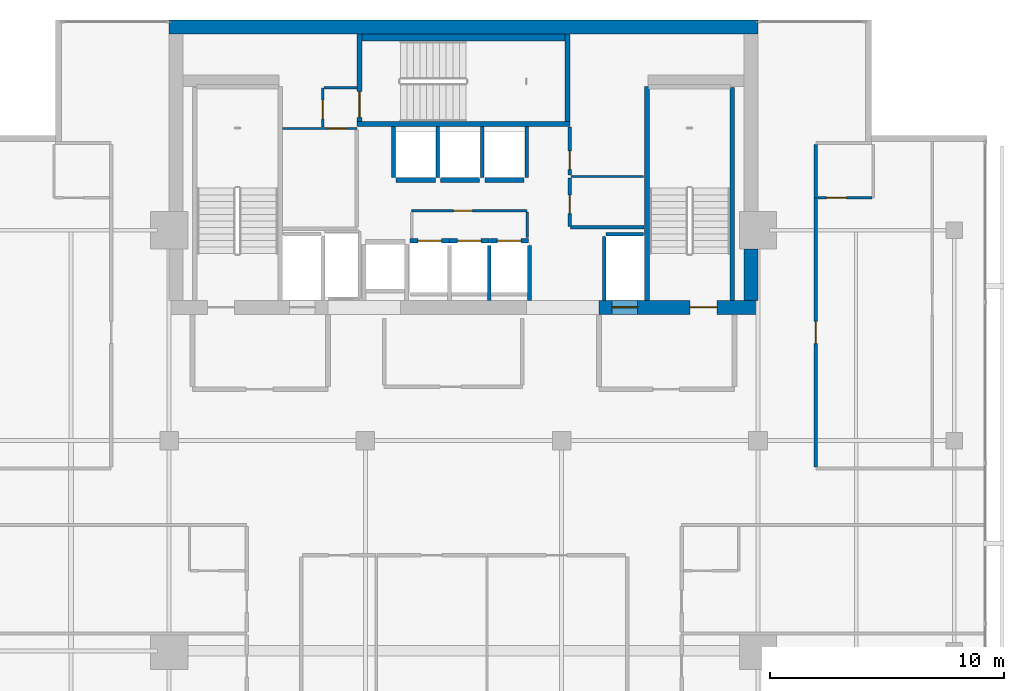
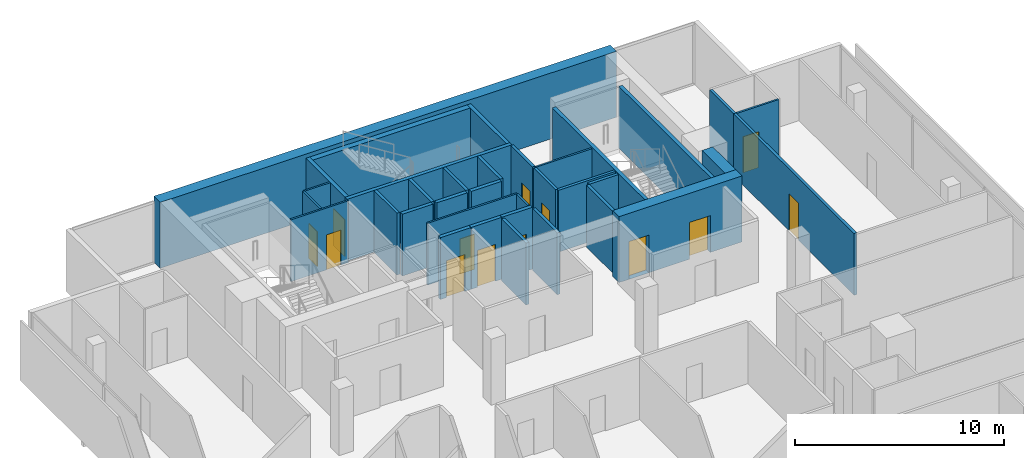
# One storey, part 22 of 25: 35 walls, 13 doors, 13 openings.
"""IFC4 building model written with IfcOpenShell, lengths in metres."""

from ifc_helpers import new_model, si_unit, direction, frame, frame_2d, origin, place, context, subcontext, project, spatial, rectangle, extrude, material, layer, layer_set, type_object, element, fill, save


model = new_model("IFC4")

# Units and contexts
model_context = context("Model", 3, precision=1e-05, world=origin(), true_north=direction((0.0, 1.0)))
body_context = subcontext(model_context, "Body", "Model", "MODEL_VIEW")
ifc_project = project(units=[si_unit("LENGTHUNIT", "METRE"), si_unit("AREAUNIT", "SQUARE_METRE"), si_unit("VOLUMEUNIT", "CUBIC_METRE"), si_unit("PLANEANGLEUNIT", "RADIAN"), si_unit("MASSUNIT", "GRAM", prefix="KILO")], contexts=[model_context])

# Site, building, storey
site_placement = place(None, origin())
site = spatial("IfcSite", under=ifc_project, at=site_placement, CompositionType="ELEMENT")
building_placement = place(site_placement, origin())
building = spatial("IfcBuilding", under=site, at=building_placement, Name="Maruvema Waterfront Hotel and Observation Tower", CompositionType="ELEMENT")
storey_placement = place(building_placement, frame((0.0, 0.0, 281.75)))
storey = spatial("IfcBuildingStorey", under=building, at=storey_placement, Name="L69", CompositionType="ELEMENT", Elevation=281.75)

# Wall, opening, door
ifc_material_1 = material(Name="Twin-stud acoustic gypsum drywall", Category="gypsum")
ifc_layer_1 = layer(ifc_material_1, 0.14990234375, Name="Acoustic Corridor and Suite Demising Wall 150 mm")
ifc_layer_set_1 = layer_set([ifc_layer_1], Name="Twin-stud acoustic gypsum drywall")
wall_type_1 = type_object("IfcWallType", Name="Acoustic Corridor and Suite Demising Wall 150 mm", PredefinedType="PARTITIONING", material=ifc_layer_set_1)
wall_1_placement = place(storey_placement, frame((42.340087890625, 45.159912109375, 0.0), z_axis=(0.0, 0.0, 1.0), x_axis=(0.0, 1.0, 0.0)))
wall_1 = element("IfcWall", 1, at=wall_1_placement, inside=storey, type_object=wall_type_1, Name="L69 Freed B2 West S 018", PredefinedType="PARTITIONING", context=body_context, shape_type="SweptSolid", body=[
    extrude(rectangle(XDim=2.080078125, YDim=0.14990234375, at=frame_2d((1.0400390625, 0.0))), origin(), (0.0, 0.0, 1.0), 3.610107421875),
])
opening_1_placement = place(wall_1_placement, frame((0.550048828125, 0.0, 0.0)))
opening_1 = element("IfcOpeningElement", 2, at=opening_1_placement, cuts=wall_1, Name="Opening DR-080", PredefinedType="OPENING", context=body_context, shape_type="SweptSolid", body=[
    extrude(rectangle(XDim=0.800048828125, YDim=2.050048828125, at=frame_2d((0.39990234375, 1.02490234375))), frame((0.0, 0.0849609375, 0.0), z_axis=(0.0, -1.0, 0.0), x_axis=(1.0, 0.0, 0.0)), (0.0, 0.0, 1.0), 0.169921875),
])
ifc_material_2 = material(Name="Powder-coated steel access leaf", Category="steel")
door_type_1 = type_object("IfcDoorType", Name="Riser and Service Cupboard Door 800x2050 mm", OperationType="NOTDEFINED", PredefinedType="DOOR", material=ifc_material_2)
door_1_placement = place(opening_1_placement, frame((0.800048828125, 0.0, 0.0), z_axis=(0.0, 0.0, 1.0), x_axis=(-1.0, 0.0, 0.0)))
door_1 = element("IfcDoor", 3, at=door_1_placement, inside=storey, type_object=door_type_1, Name="L69 Butler Service Pantry Door", OperationType="SINGLE_SWING_RIGHT", OverallHeight=2.050048828125, OverallWidth=0.800048828125, PredefinedType="DOOR", context=body_context, shape_type="SweptSolid", body=[
    extrude(rectangle(XDim=0.800048828125, YDim=2.050048828125, at=frame_2d((0.39990234375, 1.02490234375))), frame((0.0, 0.02490234375, 0.0), z_axis=(0.0, -1.0, 0.0), x_axis=(1.0, 0.0, 0.0)), (0.0, 0.0, 1.0), 0.050048828125),
])
fill(opening_1, door_1)

wall_2_placement = place(storey_placement, frame((42.340087890625, 47.360107421875, 0.0), z_axis=(0.0, 0.0, 1.0), x_axis=(0.0, 1.0, 0.0)))
wall_2 = element("IfcWall", 4, at=wall_2_placement, inside=storey, type_object=wall_type_1, Name="L69 Freed B2 West N 019", PredefinedType="PARTITIONING", context=body_context, shape_type="SweptSolid", body=[
    extrude(rectangle(XDim=2.059814453125, YDim=0.14990234375, at=frame_2d((1.02978515625, 0.0))), origin(), (0.0, 0.0, 1.0), 3.610107421875),
])
opening_2_placement = place(wall_2_placement, frame((0.239990234375, 0.0, 0.0)))
opening_2 = element("IfcOpeningElement", 5, at=opening_2_placement, cuts=wall_2, Name="Opening DR-080", PredefinedType="OPENING", context=body_context, shape_type="SweptSolid", body=[
    extrude(rectangle(XDim=0.800048828125, YDim=2.050048828125, at=frame_2d((0.39990234375, 1.02490234375))), frame((0.0, 0.0849609375, 0.0), z_axis=(0.0, -1.0, 0.0), x_axis=(1.0, 0.0, 0.0)), (0.0, 0.0, 1.0), 0.169921875),
])
door_2_placement = place(opening_2_placement, frame((0.800048828125, 0.0, 0.0), z_axis=(0.0, 0.0, 1.0), x_axis=(-1.0, 0.0, 0.0)))
door_2 = element("IfcDoor", 6, at=door_2_placement, inside=storey, type_object=door_type_1, Name="L69 Core IT and Linen Store Door", OperationType="SINGLE_SWING_LEFT", OverallHeight=2.050048828125, OverallWidth=0.800048828125, PredefinedType="DOOR", context=body_context, shape_type="SweptSolid", body=[
    extrude(rectangle(XDim=0.800048828125, YDim=2.050048828125, at=frame_2d((0.39990234375, 1.02490234375))), frame((0.0, 0.02490234375, 0.0), z_axis=(0.0, -1.0, 0.0), x_axis=(1.0, 0.0, 0.0)), (0.0, 0.0, 1.0), 0.050048828125),
])
fill(opening_2, door_2)

# Wall
wall_3_placement = place(storey_placement, frame((42.3798828125, 45.1201171875, 0.0), z_axis=(0.0, 0.0, 1.0), x_axis=(1.0, 0.0, 0.0)))
element("IfcWall", 7, at=wall_3_placement, inside=storey, type_object=wall_type_1, Name="L69 Freed B2 South Wall 021", PredefinedType="PARTITIONING", context=body_context, shape_type="SweptSolid", body=[
    extrude(rectangle(XDim=3.14013671875, YDim=0.14990234375, at=frame_2d((1.570068359375, 0.0))), origin(), (0.0, 0.0, 1.0), 3.610107421875),
])

# Wall, opening, door
wall_4_placement = place(storey_placement, frame((52.8798828125, 34.860107421875, 0.0), z_axis=(0.0, 0.0, 1.0), x_axis=(0.0, 1.0, 0.0)))
wall_4 = element("IfcWall", 8, at=wall_4_placement, inside=storey, type_object=wall_type_1, Name="L69 Room L69-NE1 Corridor Wall 079", PredefinedType="PARTITIONING", context=body_context, shape_type="SweptSolid", body=[
    extrude(rectangle(XDim=11.52734375, YDim=0.14990234375, at=frame_2d((5.763671875, 0.0))), origin(), (0.0, 0.0, 1.0), 3.610107421875),
])
opening_3_placement = place(wall_4_placement, frame((5.288818359375, 0.0, 0.0)))
opening_3 = element("IfcOpeningElement", 9, at=opening_3_placement, cuts=wall_4, Name="Opening DR-095", PredefinedType="OPENING", context=body_context, shape_type="SweptSolid", body=[
    extrude(rectangle(XDim=0.949951171875, YDim=2.14990234375, at=frame_2d((0.47509765625, 1.074951171875))), frame((0.0, 0.0849609375, 0.0), z_axis=(0.0, -1.0, 0.0), x_axis=(1.0, 0.0, 0.0)), (0.0, 0.0, 1.0), 0.169921875),
])
ifc_material_3 = material(Name="Acoustic solid-core hardwood timber leaf", Category="wood")
door_type_2 = type_object("IfcDoorType", Name="Guestroom Entrance Fire Door 950x2150 mm", OperationType="NOTDEFINED", PredefinedType="DOOR", material=ifc_material_3)
door_3_placement = place(opening_3_placement, frame((0.949951171875, 0.0, 0.0), z_axis=(0.0, 0.0, 1.0), x_axis=(-1.0, 0.0, 0.0)))
door_3 = element("IfcDoor", 10, at=door_3_placement, inside=storey, type_object=door_type_2, Name="L69 Room L69-NE1 Entrance Door", OperationType="SINGLE_SWING_RIGHT", OverallHeight=2.14990234375, OverallWidth=0.949951171875, PredefinedType="DOOR", context=body_context, shape_type="SweptSolid", body=[
    extrude(rectangle(XDim=0.949951171875, YDim=2.14990234375, at=frame_2d((0.47509765625, 1.074951171875))), frame((0.0, 0.02490234375, 0.0), z_axis=(0.0, -1.0, 0.0), x_axis=(1.0, 0.0, 0.0)), (0.0, 0.0, 1.0), 0.050048828125),
])
fill(opening_3, door_3)

# Walls
wall_5_placement = place(storey_placement, frame((52.8798828125, 46.387451171875, 0.0), z_axis=(0.0, 0.0, 1.0), x_axis=(0.0, 1.0, 0.0)))
element("IfcWall", 11, at=wall_5_placement, inside=storey, type_object=wall_type_1, Name="L69 Bath L69-NE1 Wall 080", PredefinedType="PARTITIONING", context=body_context, shape_type="SweptSolid", body=[
    extrude(rectangle(XDim=2.2900390625, YDim=0.14990234375, at=frame_2d((1.14501953125, 0.0))), origin(), (0.0, 0.0, 1.0), 3.610107421875),
])
ifc_material_4 = material(Name="Precast concrete C45/55", Category="concrete")
ifc_layer_2 = layer(ifc_material_4, 0.300048828125, Name="Core Shaft Furring Wall 300 mm")
ifc_layer_set_2 = layer_set([ifc_layer_2], Name="Precast concrete C45/55")
wall_type_2 = type_object("IfcWallType", Name="Core Shaft Furring Wall 300 mm", PredefinedType="SOLIDWALL", material=ifc_layer_set_2)
wall_6_placement = place(storey_placement, frame((33.449951171875, 53.25, 0.0), z_axis=(0.0, 0.0, 1.0), x_axis=(1.0, 0.0, 0.0)))
element("IfcWall", 12, at=wall_6_placement, inside=storey, type_object=wall_type_2, Name="L69 Stairwell ST-02 North Furring Wall", PredefinedType="SOLIDWALL", context=body_context, shape_type="SweptSolid", body=[
    extrude(rectangle(XDim=8.699951171875, YDim=0.300048828125, at=frame_2d((4.35009765625, 0.0))), origin(), (0.0, 0.0, 1.0), 3.610107421875),
])
ifc_material_5 = material(Name="Precast concrete C45/55", Category="concrete")
ifc_layer_3 = layer(ifc_material_5, 0.199951171875, Name="Core Shaft and Stairwell Enclosure Wall 200 mm")
ifc_layer_set_3 = layer_set([ifc_layer_3], Name="Precast concrete C45/55")
wall_type_3 = type_object("IfcWallType", Name="Core Shaft and Stairwell Enclosure Wall 200 mm", PredefinedType="SOLIDWALL", material=ifc_layer_set_3)
wall_7_placement = place(storey_placement, frame((33.25, 49.550048828125, 0.0), z_axis=(0.0, 0.0, 1.0), x_axis=(1.0, 0.0, 0.0)))
element("IfcWall", 13, at=wall_7_placement, inside=storey, type_object=wall_type_3, Name="L69 Stairwell ST-02 Shaft Wall", PredefinedType="SOLIDWALL", context=body_context, shape_type="SweptSolid", body=[
    extrude(rectangle(XDim=9.10009765625, YDim=0.199951171875, at=frame_2d((4.550048828125, 0.0))), origin(), (0.0, 0.0, 1.0), 3.610107421875),
])
wall_8_placement = place(storey_placement, frame((42.25, 49.64990234375, 0.0), z_axis=(0.0, 0.0, 1.0), x_axis=(0.0, 1.0, 0.0)))
element("IfcWall", 14, at=wall_8_placement, inside=storey, type_object=wall_type_3, Name="L69 Stairwell ST-02 Shaft Wall", PredefinedType="SOLIDWALL", context=body_context, shape_type="SweptSolid", body=[
    extrude(rectangle(XDim=3.75, YDim=0.199951171875, at=frame_2d((1.875, 0.0))), origin(), (0.0, 0.0, 1.0), 3.610107421875),
])

# Wall, opening, door
wall_9_placement = place(storey_placement, frame((33.35009765625, 49.64990234375, 0.0), z_axis=(0.0, 0.0, 1.0), x_axis=(0.0, 1.0, 0.0)))
wall_9 = element("IfcWall", 15, at=wall_9_placement, inside=storey, type_object=wall_type_3, Name="L69 Stairwell ST-02 Shaft Wall", PredefinedType="SOLIDWALL", context=body_context, shape_type="SweptSolid", body=[
    extrude(rectangle(XDim=3.75, YDim=0.199951171875, at=frame_2d((1.875, 0.0))), origin(), (0.0, 0.0, 1.0), 3.610107421875),
])
opening_4_placement = place(wall_9_placement, frame((0.179931640625, 0.0, 0.0)))
opening_4 = element("IfcOpeningElement", 16, at=opening_4_placement, cuts=wall_9, Name="Opening SD-02", PredefinedType="OPENING", context=body_context, shape_type="SweptSolid", body=[
    extrude(rectangle(XDim=1.10009765625, YDim=2.14990234375, at=frame_2d((0.550048828125, 1.074951171875))), frame((0.0, 0.10986328125, 0.0), z_axis=(0.0, -1.0, 0.0), x_axis=(1.0, 0.0, 0.0)), (0.0, 0.0, 1.0), 0.219970703125),
])
ifc_material_6 = material(Name="Fire-rated galvanised steel leaf", Category="steel")
door_type_3 = type_object("IfcDoorType", Name="Central Exit Stair Fire Door 1100x2150 mm", OperationType="NOTDEFINED", PredefinedType="DOOR", material=ifc_material_6)
door_4_placement = place(opening_4_placement, frame((1.10009765625, 0.0, 0.0), z_axis=(0.0, 0.0, 1.0), x_axis=(-1.0, 0.0, 0.0)))
door_4 = element("IfcDoor", 17, at=door_4_placement, inside=storey, type_object=door_type_3, Name="L69 Exit Stair ST-02 Fire Door", OperationType="SINGLE_SWING_LEFT", OverallHeight=2.14990234375, OverallWidth=1.10009765625, PredefinedType="DOOR", context=body_context, shape_type="SweptSolid", body=[
    extrude(rectangle(XDim=1.10009765625, YDim=2.14990234375, at=frame_2d((0.550048828125, 1.074951171875))), frame((0.0, 0.02490234375, 0.0), z_axis=(0.0, -1.0, 0.0), x_axis=(1.0, 0.0, 0.0)), (0.0, 0.0, 1.0), 0.050048828125),
])
fill(opening_4, door_4)

# Walls
wall_10_placement = place(storey_placement, frame((45.64990234375, 42.0, 0.0), z_axis=(0.0, 0.0, 1.0), x_axis=(0.0, 1.0, 0.0)))
element("IfcWall", 18, at=wall_10_placement, inside=storey, type_object=wall_type_3, Name="L69 Stairwell ST-03 West Shaft Wall", PredefinedType="SOLIDWALL", context=body_context, shape_type="SweptSolid", body=[
    extrude(rectangle(XDim=9.14990234375, YDim=0.199951171875, at=frame_2d((4.574951171875, 0.0))), origin(), (0.0, 0.0, 1.0), 3.610107421875),
])
wall_11_placement = place(storey_placement, frame((49.300048828125, 42.0, 0.0), z_axis=(0.0, 0.0, 1.0), x_axis=(0.0, 1.0, 0.0)))
element("IfcWall", 19, at=wall_11_placement, inside=storey, type_object=wall_type_3, Name="L69 Stairwell ST-03 Shaft Lining Wall", PredefinedType="SOLIDWALL", context=body_context, shape_type="SweptSolid", body=[
    extrude(rectangle(XDim=9.1201171875, YDim=0.199951171875, at=frame_2d((4.56005859375, 0.0))), origin(), (0.0, 0.0, 1.0), 3.610107421875),
])

# Wall, opening, door
wall_12_placement = place(storey_placement, frame((35.510009765625, 44.550048828125, 0.0), z_axis=(0.0, 0.0, 1.0), x_axis=(1.0, 0.0, 0.0)))
wall_12 = element("IfcWall", 20, at=wall_12_placement, inside=storey, type_object=wall_type_3, Name="L69 Lift LF-09 Hoistway Front Wall", PredefinedType="SOLIDWALL", context=body_context, shape_type="SweptSolid", body=[
    extrude(rectangle(XDim=1.679931640625, YDim=0.199951171875, at=frame_2d((0.83984375, 0.0))), origin(), (0.0, 0.0, 1.0), 3.610107421875),
])
opening_5_placement = place(wall_12_placement, frame((0.340087890625, 0.0, 0.0)))
opening_5 = element("IfcOpeningElement", 21, at=opening_5_placement, cuts=wall_12, Name="Opening LD-01", PredefinedType="OPENING", context=body_context, shape_type="SweptSolid", body=[
    extrude(rectangle(XDim=1.0, YDim=2.14990234375, at=frame_2d((0.5, 1.074951171875))), frame((0.0, 0.10986328125, 0.0), z_axis=(0.0, -1.0, 0.0), x_axis=(1.0, 0.0, 0.0)), (0.0, 0.0, 1.0), 0.219970703125),
])
ifc_material_7 = material(Name="Brushed stainless steel Grade 316", Category="steel")
door_type_4 = type_object("IfcDoorType", Name="Passenger Lift Sliding Landing Door 1000x2150 mm", OperationType="SLIDING_TO_LEFT", PredefinedType="DOOR", material=ifc_material_7)
door_5_placement = place(opening_5_placement, origin())
door_5 = element("IfcDoor", 22, at=door_5_placement, inside=storey, type_object=door_type_4, Name="L69 Lift LF-09 Sliding Landing Door", OperationType="SLIDING_TO_LEFT", OverallHeight=2.14990234375, OverallWidth=1.0, PredefinedType="DOOR", context=body_context, shape_type="SweptSolid", body=[
    extrude(rectangle(XDim=1.0, YDim=2.14990234375, at=frame_2d((0.5, 1.074951171875))), frame((0.0, 0.02490234375, 0.0), z_axis=(0.0, -1.0, 0.0), x_axis=(1.0, 0.0, 0.0)), (0.0, 0.0, 1.0), 0.050048828125),
])
fill(opening_5, door_5)

wall_13_placement = place(storey_placement, frame((37.2099609375, 44.550048828125, 0.0), z_axis=(0.0, 0.0, 1.0), x_axis=(1.0, 0.0, 0.0)))
wall_13 = element("IfcWall", 23, at=wall_13_placement, inside=storey, type_object=wall_type_3, Name="L69 Lift LF-10 Hoistway Front Wall", PredefinedType="SOLIDWALL", context=body_context, shape_type="SweptSolid", body=[
    extrude(rectangle(XDim=1.679931640625, YDim=0.199951171875, at=frame_2d((0.83984375, 0.0))), origin(), (0.0, 0.0, 1.0), 3.610107421875),
])
opening_6_placement = place(wall_13_placement, frame((0.340087890625, 0.0, 0.0)))
opening_6 = element("IfcOpeningElement", 24, at=opening_6_placement, cuts=wall_13, Name="Opening LD-01", PredefinedType="OPENING", context=body_context, shape_type="SweptSolid", body=[
    extrude(rectangle(XDim=1.0, YDim=2.14990234375, at=frame_2d((0.5, 1.074951171875))), frame((0.0, 0.10986328125, 0.0), z_axis=(0.0, -1.0, 0.0), x_axis=(1.0, 0.0, 0.0)), (0.0, 0.0, 1.0), 0.219970703125),
])
door_6_placement = place(opening_6_placement, origin())
door_6 = element("IfcDoor", 25, at=door_6_placement, inside=storey, type_object=door_type_4, Name="L69 Lift LF-10 Sliding Landing Door", OperationType="SLIDING_TO_LEFT", OverallHeight=2.14990234375, OverallWidth=1.0, PredefinedType="DOOR", context=body_context, shape_type="SweptSolid", body=[
    extrude(rectangle(XDim=1.0, YDim=2.14990234375, at=frame_2d((0.5, 1.074951171875))), frame((0.0, 0.02490234375, 0.0), z_axis=(0.0, -1.0, 0.0), x_axis=(1.0, 0.0, 0.0)), (0.0, 0.0, 1.0), 0.050048828125),
])
fill(opening_6, door_6)

wall_14_placement = place(storey_placement, frame((38.909912109375, 44.550048828125, 0.0), z_axis=(0.0, 0.0, 1.0), x_axis=(1.0, 0.0, 0.0)))
wall_14 = element("IfcWall", 26, at=wall_14_placement, inside=storey, type_object=wall_type_3, Name="L69 Lift LF-11 Hoistway Front Wall", PredefinedType="SOLIDWALL", context=body_context, shape_type="SweptSolid", body=[
    extrude(rectangle(XDim=1.68017578125, YDim=0.199951171875, at=frame_2d((0.840087890625, 0.0))), origin(), (0.0, 0.0, 1.0), 3.610107421875),
])
opening_7_placement = place(wall_14_placement, frame((0.340087890625, 0.0, 0.0)))
opening_7 = element("IfcOpeningElement", 27, at=opening_7_placement, cuts=wall_14, Name="Opening LD-01", PredefinedType="OPENING", context=body_context, shape_type="SweptSolid", body=[
    extrude(rectangle(XDim=1.0, YDim=2.14990234375, at=frame_2d((0.5, 1.074951171875))), frame((0.0, 0.10986328125, 0.0), z_axis=(0.0, -1.0, 0.0), x_axis=(1.0, 0.0, 0.0)), (0.0, 0.0, 1.0), 0.219970703125),
])
door_7_placement = place(opening_7_placement, origin())
door_7 = element("IfcDoor", 28, at=door_7_placement, inside=storey, type_object=door_type_4, Name="L69 Lift LF-11 Sliding Landing Door", OperationType="SLIDING_TO_LEFT", OverallHeight=2.14990234375, OverallWidth=1.0, PredefinedType="DOOR", context=body_context, shape_type="SweptSolid", body=[
    extrude(rectangle(XDim=1.0, YDim=2.14990234375, at=frame_2d((0.5, 1.074951171875))), frame((0.0, 0.02490234375, 0.0), z_axis=(0.0, -1.0, 0.0), x_axis=(1.0, 0.0, 0.0)), (0.0, 0.0, 1.0), 0.050048828125),
])
fill(opening_7, door_7)

# Walls
wall_15_placement = place(storey_placement, frame((34.909912109375, 47.14990234375, 0.0), z_axis=(0.0, 0.0, 1.0), x_axis=(1.0, 0.0, 0.0)))
element("IfcWall", 29, at=wall_15_placement, inside=storey, type_object=wall_type_3, Name="L69 Lift LF-12 Hoistway Front Wall", PredefinedType="SOLIDWALL", context=body_context, shape_type="SweptSolid", body=[
    extrude(rectangle(XDim=1.68017578125, YDim=0.199951171875, at=frame_2d((0.840087890625, 0.0))), origin(), (0.0, 0.0, 1.0), 3.610107421875),
])
for number, where, z_axis, x_axis, name in (
    (30, (36.81005859375, 47.14990234375, 0.0), (0.0, 0.0, 1.0), (1.0, 0.0, 0.0), "L69 Lift LF-13 Hoistway Front Wall"),
    (31, (38.7099609375, 47.14990234375, 0.0), (0.0, 0.0, 1.0), (1.0, 0.0, 0.0), "L69 Lift LF-14 Hoistway Front Wall"),
):
    element("IfcWall", number, at=place(storey_placement, frame(where, z_axis=z_axis, x_axis=x_axis)), inside=storey, type_object=wall_type_3, Name=name, PredefinedType="SOLIDWALL", context=body_context, shape_type="SweptSolid", body=[
        extrude(rectangle(XDim=1.679931640625, YDim=0.199951171875, at=frame_2d((0.83984375, 0.0))), origin(), (0.0, 0.0, 1.0), 3.610107421875),
    ])
ifc_material_8 = material(Name="Concrete C60/75", Category="concrete")
ifc_layer_4 = layer(ifc_material_8, 0.60009765625, Name="Core Shear Wall 600 mm")
ifc_layer_set_4 = layer_set([ifc_layer_4], Name="Concrete C60/75")
wall_type_4 = type_object("IfcWallType", Name="Core Shear Wall 600 mm", PredefinedType="SHEAR", material=ifc_layer_set_4)
wall_16_placement = place(storey_placement, frame((25.199951171875, 53.699951171875, 0.0), z_axis=(0.0, 0.0, 1.0), x_axis=(1.0, 0.0, 0.0)))
element("IfcWall", 32, at=wall_16_placement, inside=storey, type_object=wall_type_4, Name="L69 North Core Shear Wall", PredefinedType="SHEAR", context=body_context, shape_type="SweptSolid", body=[
    extrude(rectangle(XDim=25.199951171875, YDim=0.60009765625, at=frame_2d((12.60009765625, 0.0))), origin(), (0.0, 0.0, 1.0), 3.85009765625),
])

# Wall, openings, doors
wall_17_placement = place(storey_placement, frame((43.60009765625, 41.699951171875, 0.0), z_axis=(0.0, 0.0, 1.0), x_axis=(1.0, 0.0, 0.0)))
wall_17 = element("IfcWall", 33, at=wall_17_placement, inside=storey, type_object=wall_type_4, Name="L69 South-East Core Shear Wall", PredefinedType="SHEAR", context=body_context, shape_type="SweptSolid", body=[
    extrude(rectangle(XDim=6.7998046875, YDim=0.60009765625, at=frame_2d((3.39990234375, 0.0))), origin(), (0.0, 0.0, 1.0), 3.85009765625),
])
opening_8_placement = place(wall_17_placement, frame((3.89990234375, 0.0, 0.0)))
opening_8 = element("IfcOpeningElement", 34, at=opening_8_placement, cuts=wall_17, Name="Opening SD-01", PredefinedType="OPENING", context=body_context, shape_type="SweptSolid", body=[
    extrude(rectangle(XDim=1.14990234375, YDim=2.14990234375, at=frame_2d((0.574951171875, 1.074951171875))), frame((0.0, 0.31005859375, 0.0), z_axis=(0.0, -1.0, 0.0), x_axis=(1.0, 0.0, 0.0)), (0.0, 0.0, 1.0), 0.6201171875),
])
opening_9_placement = place(wall_17_placement, frame((0.550048828125, 0.0, 0.0)))
opening_9 = element("IfcOpeningElement", 35, at=opening_9_placement, cuts=wall_17, Name="Opening LD-03", PredefinedType="OPENING", context=body_context, shape_type="SweptSolid", body=[
    extrude(rectangle(XDim=1.10009765625, YDim=2.199951171875, at=frame_2d((0.550048828125, 1.10009765625))), frame((0.0, 0.31005859375, 0.0), z_axis=(0.0, -1.0, 0.0), x_axis=(1.0, 0.0, 0.0)), (0.0, 0.0, 1.0), 0.6201171875),
])
ifc_material_9 = material(Name="Fire-rated galvanised steel leaf", Category="steel")
door_type_5 = type_object("IfcDoorType", Name="Exit Stair Fire Door 1150x2150 mm", OperationType="NOTDEFINED", PredefinedType="DOOR", material=ifc_material_9)
door_8_placement = place(opening_8_placement, origin())
door_8 = element("IfcDoor", 36, at=door_8_placement, inside=storey, type_object=door_type_5, Name="L69 Exit Stair ST-03 Fire Door", OperationType="SINGLE_SWING_RIGHT", OverallHeight=2.14990234375, OverallWidth=1.14990234375, PredefinedType="DOOR", context=body_context, shape_type="SweptSolid", body=[
    extrude(rectangle(XDim=1.14990234375, YDim=2.14990234375, at=frame_2d((0.574951171875, 1.074951171875))), frame((0.0, 0.02490234375, 0.0), z_axis=(0.0, -1.0, 0.0), x_axis=(1.0, 0.0, 0.0)), (0.0, 0.0, 1.0), 0.050048828125),
])
fill(opening_8, door_8)
ifc_material_10 = material(Name="Brushed stainless steel Grade 316", Category="steel")
door_type_6 = type_object("IfcDoorType", Name="Firefighting Lift Sliding Landing Door 1100x2200 mm", OperationType="SLIDING_TO_LEFT", PredefinedType="DOOR", material=ifc_material_10)
door_9_placement = place(opening_9_placement, frame((1.10009765625, 0.0, 0.0), z_axis=(0.0, 0.0, 1.0), x_axis=(-1.0, 0.0, 0.0)))
door_9 = element("IfcDoor", 37, at=door_9_placement, inside=storey, type_object=door_type_6, Name="L69 Firefighting Lift FL-02 Landing Door", OperationType="SLIDING_TO_LEFT", OverallHeight=2.199951171875, OverallWidth=1.10009765625, PredefinedType="DOOR", context=body_context, shape_type="SweptSolid", body=[
    extrude(rectangle(XDim=1.10009765625, YDim=2.199951171875, at=frame_2d((0.550048828125, 1.10009765625))), frame((0.0, 0.02490234375, 0.0), z_axis=(0.0, -1.0, 0.0), x_axis=(1.0, 0.0, 0.0)), (0.0, 0.0, 1.0), 0.050048828125),
])
fill(opening_9, door_9)

# Wall
wall_18_placement = place(storey_placement, frame((50.10009765625, 42.0, 0.0), z_axis=(0.0, 0.0, 1.0), x_axis=(0.0, 1.0, 0.0)))
element("IfcWall", 38, at=wall_18_placement, inside=storey, type_object=wall_type_4, Name="L69 East-South Core Shear Wall", PredefinedType="SHEAR", context=body_context, shape_type="SweptSolid", body=[
    extrude(rectangle(XDim=2.199951171875, YDim=0.60009765625, at=frame_2d((1.10009765625, 0.0))), origin(), (0.0, 0.0, 1.0), 3.85009765625),
])

# Wall, opening, door
ifc_material_11 = material(Name="Moisture-resistant cement-board drywall", Category="gypsum")
ifc_layer_5 = layer(ifc_material_11, 0.10009765625, Name="En-Suite Moisture-Resistant Partition 100 mm")
ifc_layer_set_5 = layer_set([ifc_layer_5], Name="Moisture-resistant cement-board drywall")
wall_type_5 = type_object("IfcWallType", Name="En-Suite Moisture-Resistant Partition 100 mm", PredefinedType="PARTITIONING", material=ifc_layer_set_5)
wall_19_placement = place(storey_placement, frame((35.580078125, 45.840087890625, 0.0), z_axis=(0.0, 0.0, 1.0), x_axis=(1.0, 0.0, 0.0)))
wall_19 = element("IfcWall", 39, at=wall_19_placement, inside=storey, type_object=wall_type_5, Name="L69 Core Closet K0 North 010", PredefinedType="PARTITIONING", context=body_context, shape_type="SweptSolid", body=[
    extrude(rectangle(XDim=4.93994140625, YDim=0.10009765625, at=frame_2d((2.469970703125, 0.0))), origin(), (0.0, 0.0, 1.0), 3.610107421875),
])
opening_10_placement = place(wall_19_placement, frame((1.800048828125, 0.0, 0.0)))
opening_10 = element("IfcOpeningElement", 40, at=opening_10_placement, cuts=wall_19, Name="Opening DR-080", PredefinedType="OPENING", context=body_context, shape_type="SweptSolid", body=[
    extrude(rectangle(XDim=0.800048828125, YDim=2.050048828125, at=frame_2d((0.39990234375, 1.02490234375))), frame((0.0, 0.06005859375, 0.0), z_axis=(0.0, -1.0, 0.0), x_axis=(1.0, 0.0, 0.0)), (0.0, 0.0, 1.0), 0.1201171875),
])
door_10_placement = place(opening_10_placement, origin())
door_10 = element("IfcDoor", 41, at=door_10_placement, inside=storey, type_object=door_type_1, Name="L69 Core Electrical Closet Door", OperationType="SINGLE_SWING_LEFT", OverallHeight=2.050048828125, OverallWidth=0.800048828125, PredefinedType="DOOR", context=body_context, shape_type="SweptSolid", body=[
    extrude(rectangle(XDim=0.800048828125, YDim=2.050048828125, at=frame_2d((0.39990234375, 1.02490234375))), frame((0.0, 0.02490234375, 0.0), z_axis=(0.0, -1.0, 0.0), x_axis=(1.0, 0.0, 0.0)), (0.0, 0.0, 1.0), 0.050048828125),
])
fill(opening_10, door_10)

# Wall
wall_20_placement = place(storey_placement, frame((40.52001953125, 44.699951171875, 0.0), z_axis=(0.0, 0.0, 1.0), x_axis=(0.0, 1.0, 0.0)))
element("IfcWall", 42, at=wall_20_placement, inside=storey, type_object=wall_type_5, Name="L69 Core Closet K0 East 012", PredefinedType="PARTITIONING", context=body_context, shape_type="SweptSolid", body=[
    extrude(rectangle(XDim=1.080078125, YDim=0.10009765625, at=frame_2d((0.5400390625, 0.0))), origin(), (0.0, 0.0, 1.0), 3.610107421875),
])

# Wall, opening, door
wall_21_placement = place(storey_placement, frame((30.06005859375, 49.360107421875, 0.0), z_axis=(0.0, 0.0, 1.0), x_axis=(1.0, 0.0, 0.0)))
wall_21 = element("IfcWall", 43, at=wall_21_placement, inside=storey, type_object=wall_type_5, Name="L69 Freed B1 Mid Wall 015", PredefinedType="PARTITIONING", context=body_context, shape_type="SweptSolid", body=[
    extrude(rectangle(XDim=3.179931640625, YDim=0.10009765625, at=frame_2d((1.58984375, 0.0))), origin(), (0.0, 0.0, 1.0), 3.610107421875),
])
opening_11_placement = place(wall_21_placement, frame((1.949951171875, 0.0, 0.0)))
opening_11 = element("IfcOpeningElement", 44, at=opening_11_placement, cuts=wall_21, Name="Opening DR-080", PredefinedType="OPENING", context=body_context, shape_type="SweptSolid", body=[
    extrude(rectangle(XDim=0.800048828125, YDim=2.050048828125, at=frame_2d((0.39990234375, 1.02490234375))), frame((0.0, 0.06005859375, 0.0), z_axis=(0.0, -1.0, 0.0), x_axis=(1.0, 0.0, 0.0)), (0.0, 0.0, 1.0), 0.1201171875),
])
door_11_placement = place(opening_11_placement, origin())
door_11 = element("IfcDoor", 45, at=door_11_placement, inside=storey, type_object=door_type_1, Name="L69 Housekeeping and Linen Room Door", OperationType="SINGLE_SWING_RIGHT", OverallHeight=2.050048828125, OverallWidth=0.800048828125, PredefinedType="DOOR", context=body_context, shape_type="SweptSolid", body=[
    extrude(rectangle(XDim=0.800048828125, YDim=2.050048828125, at=frame_2d((0.39990234375, 1.02490234375))), frame((0.0, 0.02490234375, 0.0), z_axis=(0.0, -1.0, 0.0), x_axis=(1.0, 0.0, 0.0)), (0.0, 0.0, 1.0), 0.050048828125),
])
fill(opening_11, door_11)

wall_22_placement = place(storey_placement, frame((31.780029296875, 49.419921875, 0.0), z_axis=(0.0, 0.0, 1.0), x_axis=(0.0, 1.0, 0.0)))
wall_22 = element("IfcWall", 46, at=wall_22_placement, inside=storey, type_object=wall_type_5, Name="L69 Freed B1 NW East Wall 016", PredefinedType="PARTITIONING", context=body_context, shape_type="SweptSolid", body=[
    extrude(rectangle(XDim=1.68017578125, YDim=0.10009765625, at=frame_2d((0.840087890625, 0.0))), origin(), (0.0, 0.0, 1.0), 3.610107421875),
])
opening_12_placement = place(wall_22_placement, frame((0.35009765625, 0.0, 0.0)))
opening_12 = element("IfcOpeningElement", 47, at=opening_12_placement, cuts=wall_22, Name="Opening DR-080", PredefinedType="OPENING", context=body_context, shape_type="SweptSolid", body=[
    extrude(rectangle(XDim=0.800048828125, YDim=2.050048828125, at=frame_2d((0.39990234375, 1.02490234375))), frame((0.0, 0.06005859375, 0.0), z_axis=(0.0, -1.0, 0.0), x_axis=(1.0, 0.0, 0.0)), (0.0, 0.0, 1.0), 0.1201171875),
])
door_12_placement = place(opening_12_placement, origin())
door_12 = element("IfcDoor", 48, at=door_12_placement, inside=storey, type_object=door_type_1, Name="L69 Guest Floor Pantry Door", OperationType="SINGLE_SWING_LEFT", OverallHeight=2.050048828125, OverallWidth=0.800048828125, PredefinedType="DOOR", context=body_context, shape_type="SweptSolid", body=[
    extrude(rectangle(XDim=0.800048828125, YDim=2.050048828125, at=frame_2d((0.39990234375, 1.02490234375))), frame((0.0, 0.02490234375, 0.0), z_axis=(0.0, -1.0, 0.0), x_axis=(1.0, 0.0, 0.0)), (0.0, 0.0, 1.0), 0.050048828125),
])
fill(opening_12, door_12)

# Walls
wall_23_placement = place(storey_placement, frame((31.820068359375, 51.10009765625, 0.0), z_axis=(0.0, 0.0, 1.0), x_axis=(1.0, 0.0, 0.0)))
element("IfcWall", 49, at=wall_23_placement, inside=storey, type_object=wall_type_5, Name="L69 Freed B1 Vestibule North Wall 017", PredefinedType="PARTITIONING", context=body_context, shape_type="SweptSolid", body=[
    extrude(rectangle(XDim=1.419921875, YDim=0.10009765625, at=frame_2d((0.7099609375, 0.0))), origin(), (0.0, 0.0, 1.0), 3.610107421875),
])
wall_24_placement = place(storey_placement, frame((42.39990234375, 47.300048828125, 0.0), z_axis=(0.0, 0.0, 1.0), x_axis=(1.0, 0.0, 0.0)))
element("IfcWall", 50, at=wall_24_placement, inside=storey, type_object=wall_type_5, Name="L69 Freed B2 Split 020", PredefinedType="PARTITIONING", context=body_context, shape_type="SweptSolid", body=[
    extrude(rectangle(XDim=3.10009765625, YDim=0.10009765625, at=frame_2d((1.550048828125, 0.0))), origin(), (0.0, 0.0, 1.0), 3.610107421875),
])

# Wall, opening, door
wall_25_placement = place(storey_placement, frame((52.97998046875, 46.387451171875, 0.0), z_axis=(0.0, 0.0, 1.0), x_axis=(1.0, 0.0, 0.0)))
wall_25 = element("IfcWall", 51, at=wall_25_placement, inside=storey, type_object=wall_type_5, Name="L69 En-Suite L69-NE1 S 082", PredefinedType="PARTITIONING", context=body_context, shape_type="SweptSolid", body=[
    extrude(rectangle(XDim=2.300048828125, YDim=0.10009765625, at=frame_2d((1.14990234375, 0.0))), origin(), (0.0, 0.0, 1.0), 3.610107421875),
])
opening_13_placement = place(wall_25_placement, frame((0.35009765625, 0.0, 0.0)))
opening_13 = element("IfcOpeningElement", 52, at=opening_13_placement, cuts=wall_25, Name="Opening DR-085", PredefinedType="OPENING", context=body_context, shape_type="SweptSolid", body=[
    extrude(rectangle(XDim=0.85009765625, YDim=2.10009765625, at=frame_2d((0.425048828125, 1.050048828125))), frame((0.0, 0.06005859375, 0.0), z_axis=(0.0, -1.0, 0.0), x_axis=(1.0, 0.0, 0.0)), (0.0, 0.0, 1.0), 0.1201171875),
])
ifc_material_12 = material(Name="Moisture-resistant solid timber leaf", Category="wood")
door_type_7 = type_object("IfcDoorType", Name="En-Suite Bathroom Door 850x2100 mm", OperationType="NOTDEFINED", PredefinedType="DOOR", material=ifc_material_12)
door_13_placement = place(opening_13_placement, frame((0.85009765625, 0.0, 0.0), z_axis=(0.0, 0.0, 1.0), x_axis=(-1.0, 0.0, 0.0)))
door_13 = element("IfcDoor", 53, at=door_13_placement, inside=storey, type_object=door_type_7, Name="L69 En-Suite L69-NE1 Door", OperationType="SINGLE_SWING_LEFT", OverallHeight=2.10009765625, OverallWidth=0.85009765625, PredefinedType="DOOR", context=body_context, shape_type="SweptSolid", body=[
    extrude(rectangle(XDim=0.85009765625, YDim=2.10009765625, at=frame_2d((0.425048828125, 1.050048828125))), frame((0.0, 0.02490234375, 0.0), z_axis=(0.0, -1.0, 0.0), x_axis=(1.0, 0.0, 0.0)), (0.0, 0.0, 1.0), 0.050048828125),
])
fill(opening_13, door_13)

# Walls
ifc_material_13 = material(Name="Precast concrete C45/55", Category="concrete")
ifc_layer_6 = layer(ifc_material_13, 0.159912109375, Name="Lift Hoistway Divider Wall 160 mm")
ifc_layer_set_6 = layer_set([ifc_layer_6], Name="Precast concrete C45/55")
wall_type_6 = type_object("IfcWallType", Name="Lift Hoistway Divider Wall 160 mm", PredefinedType="SOLIDWALL", material=ifc_layer_set_6)
wall_26_placement = place(storey_placement, frame((43.89990234375, 44.830078125, 0.0), z_axis=(0.0, 0.0, 1.0), x_axis=(1.0, 0.0, 0.0)))
element("IfcWall", 54, at=wall_26_placement, inside=storey, type_object=wall_type_6, Name="L69 Lift FL-02 Rear Hoistway Wall", PredefinedType="SOLIDWALL", context=body_context, shape_type="SweptSolid", body=[
    extrude(rectangle(XDim=1.60009765625, YDim=0.159912109375, at=frame_2d((0.800048828125, 0.0))), origin(), (0.0, 0.0, 1.0), 3.610107421875),
])
wall_27_placement = place(storey_placement, frame((43.820068359375, 42.0, 0.0), z_axis=(0.0, 0.0, 1.0), x_axis=(0.0, 1.0, 0.0)))
element("IfcWall", 55, at=wall_27_placement, inside=storey, type_object=wall_type_6, Name="L69 Lift FL-02 Inner Hoistway Wall", PredefinedType="SOLIDWALL", context=body_context, shape_type="SweptSolid", body=[
    extrude(rectangle(XDim=2.739990234375, YDim=0.159912109375, at=frame_2d((1.3701171875, 0.0))), origin(), (0.0, 0.0, 1.0), 3.610107421875),
])
for number, where, z_axis, x_axis, name in (
    (56, (38.89990234375, 42.0, 0.0), (0.0, 0.0, 1.0), (0.0, 1.0, 0.0), "L69 Hoistway Divider Wall"),
    (57, (40.6201171875, 42.0, 0.0), (0.0, 0.0, 1.0), (0.0, 1.0, 0.0), "L69 Hoistway Divider Wall"),
):
    element("IfcWall", number, at=place(storey_placement, frame(where, z_axis=z_axis, x_axis=x_axis)), inside=storey, type_object=wall_type_6, Name=name, PredefinedType="SOLIDWALL", context=body_context, shape_type="SweptSolid", body=[
        extrude(rectangle(XDim=2.35009765625, YDim=0.159912109375, at=frame_2d((1.175048828125, 0.0))), origin(), (0.0, 0.0, 1.0), 3.610107421875),
    ])
for number, where, z_axis, x_axis, name in (
    (58, (34.800048828125, 47.25, 0.0), (0.0, 0.0, 1.0), (0.0, 1.0, 0.0), "L69 Hoistway Divider Wall"),
    (59, (36.699951171875, 47.25, 0.0), (0.0, 0.0, 1.0), (0.0, 1.0, 0.0), "L69 Hoistway Divider Wall"),
    (60, (38.60009765625, 47.25, 0.0), (0.0, 0.0, 1.0), (0.0, 1.0, 0.0), "L69 Hoistway Divider Wall"),
    (61, (40.5, 47.25, 0.0), (0.0, 0.0, 1.0), (0.0, 1.0, 0.0), "L69 Hoistway Divider Wall"),
):
    element("IfcWall", number, at=place(storey_placement, frame(where, z_axis=z_axis, x_axis=x_axis)), inside=storey, type_object=wall_type_6, Name=name, PredefinedType="SOLIDWALL", context=body_context, shape_type="SweptSolid", body=[
        extrude(rectangle(XDim=2.18994140625, YDim=0.159912109375, at=frame_2d((1.094970703125, 0.0))), origin(), (0.0, 0.0, 1.0), 3.610107421875),
    ])

save(model, "model.ifc")
